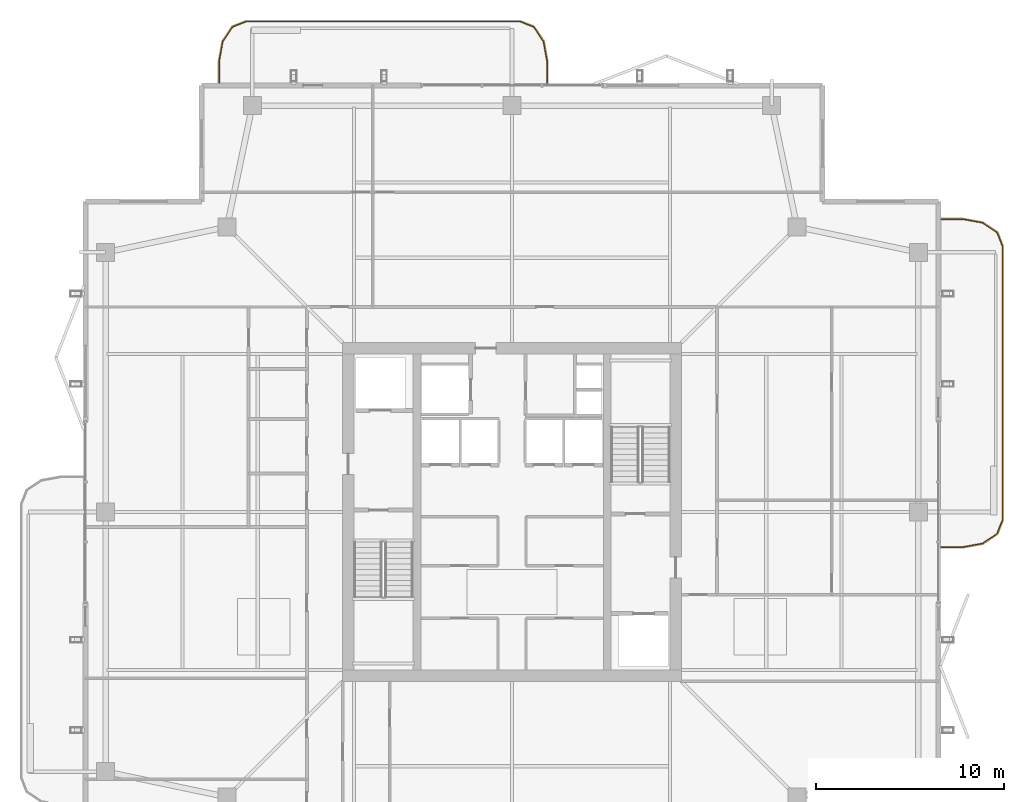
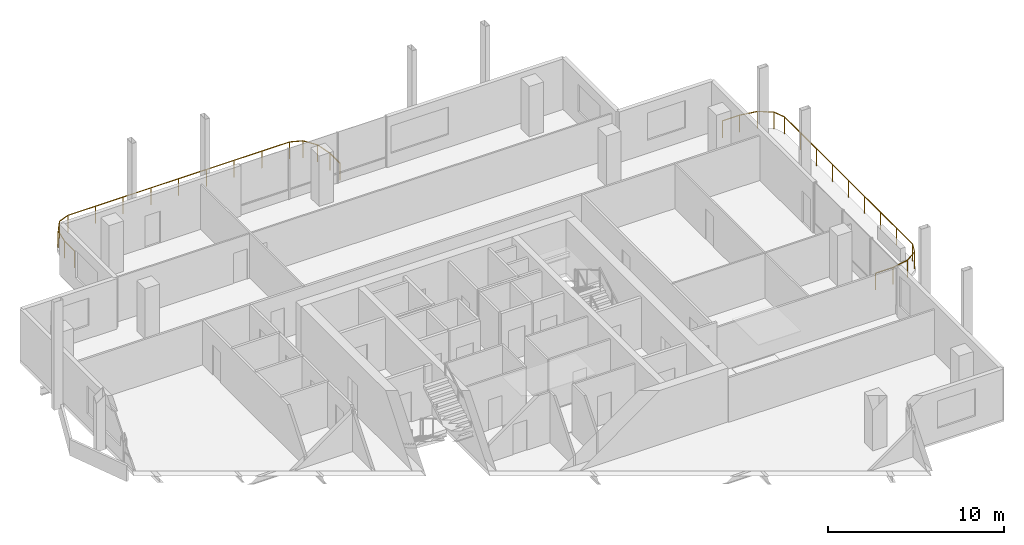
# One storey, part 20 of 20: 2 railings.
"""IFC4 building model written with IfcOpenShell, lengths in metres."""

from ifc_helpers import new_model, si_unit, direction, frame, origin, origin_2d, place, context, subcontext, project, spatial, rectangle, extrude, material, type_object, element, save


model = new_model("IFC4")

# Units and contexts
model_context = context("Model", 3, precision=1e-05, world=origin(), true_north=direction((0.0, 1.0)))
body_context = subcontext(model_context, "Body", "Model", "MODEL_VIEW")
ifc_project = project(units=[si_unit("LENGTHUNIT", "METRE"), si_unit("AREAUNIT", "SQUARE_METRE"), si_unit("VOLUMEUNIT", "CUBIC_METRE"), si_unit("PLANEANGLEUNIT", "RADIAN"), si_unit("MASSUNIT", "GRAM", prefix="KILO")], contexts=[model_context])

# Site, building, storey
site_placement = place(None, origin())
site = spatial("IfcSite", under=ifc_project, at=site_placement, CompositionType="ELEMENT")
building_placement = place(site_placement, origin())
building = spatial("IfcBuilding", under=site, at=building_placement, Name="Belovzor Exchange Tower", CompositionType="ELEMENT")
storey_placement = place(building_placement, frame((0.0, 0.0, 321.75)))
storey = spatial("IfcBuildingStorey", under=building, at=storey_placement, Name="L80", CompositionType="ELEMENT", Elevation=321.75)

# Railings
ifc_material = material(Name="Stainless Steel and Laminated Safety Glass", Category="steel")
railing_type = type_object("IfcRailingType", Name="Laminated Glass & Stainless Steel Balcony Balustrade 1200", PredefinedType="BALUSTRADE", material=ifc_material)
railing_1_placement = place(storey_placement, frame((30.669921875, 51.610107421875, 0.0)))
element("IfcRailing", 1, at=railing_1_placement, inside=storey, type_object=railing_type, Name="GR-1 Balcony Balustrade L80 North", PredefinedType="BALUSTRADE", context=body_context, shape_type="SweptSolid", body=[
    extrude(rectangle(XDim=0.048095703125, YDim=0.048095703125, at=origin_2d()), frame((0.0, 0.0, 1.17578125), z_axis=(0.0, 1.0, 0.0), x_axis=(-1.0, 0.0, 0.0)), (0.0, 0.0, 1.0), 1.1328125),
    extrude(rectangle(XDim=0.048095703125, YDim=0.048095703125, at=origin_2d()), frame((0.0, 1.1328125, 1.17578125), z_axis=(-0.180083182347, 0.983651385113, 0.0), x_axis=(-0.983651385113, -0.180083182347, 0.0)), (0.0, 0.0, 1.0), 1.093994140625),
    extrude(rectangle(XDim=0.048095703125, YDim=0.048095703125, at=origin_2d()), frame((-0.197021484375, 2.208984375, 1.17578125), z_axis=(-0.562768145367, 0.826614792125, 0.0), x_axis=(-0.826614792125, -0.562768145367, 0.0)), (0.0, 0.0, 1.0), 0.9326171875),
    extrude(rectangle(XDim=0.048095703125, YDim=0.048095703125, at=origin_2d()), frame((-0.721923828125, 2.97998046875, 1.17578125), z_axis=(-0.930766990125, 0.365612923861, 0.0), x_axis=(-0.365612923861, -0.930766990125, 0.0)), (0.0, 0.0, 1.0), 0.765869140625),
    extrude(rectangle(XDim=0.048095703125, YDim=0.048095703125, at=origin_2d()), frame((-1.434814453125, 3.260009765625, 1.17578125), z_axis=(-1.0, 0.0, 0.0), x_axis=(0.0, -1.0, 0.0)), (0.0, 0.0, 1.0), 14.570068359375),
    extrude(rectangle(XDim=0.048095703125, YDim=0.048095703125, at=origin_2d()), frame((-16.0048828125, 3.260009765625, 1.17578125), z_axis=(-0.930809580156, -0.365504480807, 0.0), x_axis=(0.365504480807, -0.930809580156, 0.0)), (0.0, 0.0, 1.0), 0.76611328125),
    extrude(rectangle(XDim=0.048095703125, YDim=0.048095703125, at=origin_2d()), frame((-16.718017578125, 2.97998046875, 1.17578125), z_axis=(-0.562768145367, -0.826614792125, 0.0), x_axis=(0.826614792125, -0.562768145367, 0.0)), (0.0, 0.0, 1.0), 0.9326171875),
    extrude(rectangle(XDim=0.048095703125, YDim=0.048095703125, at=origin_2d()), frame((-17.242919921875, 2.208984375, 1.17578125), z_axis=(-0.180083182347, -0.983651385113, 0.0), x_axis=(0.983651385113, -0.180083182347, 0.0)), (0.0, 0.0, 1.0), 1.093994140625),
    extrude(rectangle(XDim=0.048095703125, YDim=0.048095703125, at=origin_2d()), frame((-17.43994140625, 1.1328125, 1.17578125), z_axis=(0.0, -1.0, 0.0), x_axis=(1.0, 0.0, 0.0)), (0.0, 0.0, 1.0), 1.1328125),
    extrude(rectangle(XDim=0.0419921875, YDim=0.0419921875, at=origin_2d()), origin(), (0.0, 0.0, 1.0), 1.15185546875),
    extrude(rectangle(XDim=0.0419921875, YDim=0.0419921875, at=origin_2d()), frame((0.0, 1.1328125, 0.0)), (0.0, 0.0, 1.0), 1.15185546875),
    extrude(rectangle(XDim=0.0419921875, YDim=0.0419921875, at=origin_2d()), frame((-0.197021484375, 2.208984375, 0.0)), (0.0, 0.0, 1.0), 1.15185546875),
    extrude(rectangle(XDim=0.0419921875, YDim=0.0419921875, at=origin_2d()), frame((-0.721923828125, 2.97998046875, 0.0)), (0.0, 0.0, 1.0), 1.15185546875),
    extrude(rectangle(XDim=0.0419921875, YDim=0.0419921875, at=origin_2d()), frame((-1.434814453125, 3.260009765625, 0.0)), (0.0, 0.0, 1.0), 1.15185546875),
    extrude(rectangle(XDim=0.0419921875, YDim=0.0419921875, at=origin_2d()), frame((-3.256103515625, 3.260009765625, 0.0)), (0.0, 0.0, 1.0), 1.15185546875),
    extrude(rectangle(XDim=0.0419921875, YDim=0.0419921875, at=origin_2d()), frame((-5.077392578125, 3.260009765625, 0.0)), (0.0, 0.0, 1.0), 1.15185546875),
    extrude(rectangle(XDim=0.0419921875, YDim=0.0419921875, at=origin_2d()), frame((-6.898681640625, 3.260009765625, 0.0)), (0.0, 0.0, 1.0), 1.15185546875),
    extrude(rectangle(XDim=0.0419921875, YDim=0.0419921875, at=origin_2d()), frame((-8.7197265625, 3.260009765625, 0.0)), (0.0, 0.0, 1.0), 1.15185546875),
    extrude(rectangle(XDim=0.0419921875, YDim=0.0419921875, at=origin_2d()), frame((-10.541015625, 3.260009765625, 0.0)), (0.0, 0.0, 1.0), 1.15185546875),
    extrude(rectangle(XDim=0.0419921875, YDim=0.0419921875, at=origin_2d()), frame((-12.3623046875, 3.260009765625, 0.0)), (0.0, 0.0, 1.0), 1.15185546875),
    extrude(rectangle(XDim=0.0419921875, YDim=0.0419921875, at=origin_2d()), frame((-14.18359375, 3.260009765625, 0.0)), (0.0, 0.0, 1.0), 1.15185546875),
    extrude(rectangle(XDim=0.0419921875, YDim=0.0419921875, at=origin_2d()), frame((-16.0048828125, 3.260009765625, 0.0)), (0.0, 0.0, 1.0), 1.15185546875),
    extrude(rectangle(XDim=0.0419921875, YDim=0.0419921875, at=origin_2d()), frame((-16.718017578125, 2.97998046875, 0.0)), (0.0, 0.0, 1.0), 1.15185546875),
    extrude(rectangle(XDim=0.0419921875, YDim=0.0419921875, at=origin_2d()), frame((-17.242919921875, 2.208984375, 0.0)), (0.0, 0.0, 1.0), 1.15185546875),
    extrude(rectangle(XDim=0.0419921875, YDim=0.0419921875, at=origin_2d()), frame((-17.43994140625, 1.1328125, 0.0)), (0.0, 0.0, 1.0), 1.15185546875),
    extrude(rectangle(XDim=0.0419921875, YDim=0.0419921875, at=origin_2d()), frame((-17.43994140625, 0.0, 0.0)), (0.0, 0.0, 1.0), 1.15185546875),
])
railing_2_placement = place(storey_placement, frame((51.610107421875, 26.929931640625, 0.0)))
element("IfcRailing", 2, at=railing_2_placement, inside=storey, type_object=railing_type, Name="GR-1 Balcony Balustrade L80 East", PredefinedType="BALUSTRADE", context=body_context, shape_type="SweptSolid", body=[
    extrude(rectangle(XDim=0.048095703125, YDim=0.048095703125, at=origin_2d()), frame((0.0, 0.0, 1.17578125), z_axis=(1.0, 0.0, 0.0), x_axis=(0.0, 1.0, 0.0)), (0.0, 0.0, 1.0), 1.1328125),
    extrude(rectangle(XDim=0.048095703125, YDim=0.048095703125, at=origin_2d()), frame((1.1328125, 0.0, 1.17578125), z_axis=(0.983651385113, 0.180083182347, 0.0), x_axis=(-0.180083182347, 0.983651385113, 0.0)), (0.0, 0.0, 1.0), 1.093994140625),
    extrude(rectangle(XDim=0.048095703125, YDim=0.048095703125, at=origin_2d()), frame((2.208984375, 0.197021484375, 1.17578125), z_axis=(0.826493025367, 0.56294695933, 0.0), x_axis=(-0.56294695933, 0.826493025367, 0.0)), (0.0, 0.0, 1.0), 0.932861328125),
    extrude(rectangle(XDim=0.048095703125, YDim=0.048095703125, at=origin_2d()), frame((2.97998046875, 0.72216796875, 1.17578125), z_axis=(0.365612923861, 0.930766990125, 0.0), x_axis=(-0.930766990125, 0.365612923861, 0.0)), (0.0, 0.0, 1.0), 0.765869140625),
    extrude(rectangle(XDim=0.048095703125, YDim=0.048095703125, at=origin_2d()), frame((3.260009765625, 1.43505859375, 1.17578125), z_axis=(0.0, 1.0, 0.0), x_axis=(-1.0, 0.0, 0.0)), (0.0, 0.0, 1.0), 14.570068359375),
    extrude(rectangle(XDim=0.048095703125, YDim=0.048095703125, at=origin_2d()), frame((3.260009765625, 16.005126953125, 1.17578125), z_axis=(-0.365612923861, 0.930766990125, 0.0), x_axis=(-0.930766990125, -0.365612923861, 0.0)), (0.0, 0.0, 1.0), 0.765869140625),
    extrude(rectangle(XDim=0.048095703125, YDim=0.048095703125, at=origin_2d()), frame((2.97998046875, 16.718017578125, 1.17578125), z_axis=(-0.826493025367, 0.56294695933, 0.0), x_axis=(-0.56294695933, -0.826493025367, 0.0)), (0.0, 0.0, 1.0), 0.932861328125),
    extrude(rectangle(XDim=0.048095703125, YDim=0.048095703125, at=origin_2d()), frame((2.208984375, 17.2431640625, 1.17578125), z_axis=(-0.983651385113, 0.180083182347, 0.0), x_axis=(-0.180083182347, -0.983651385113, 0.0)), (0.0, 0.0, 1.0), 1.093994140625),
    extrude(rectangle(XDim=0.048095703125, YDim=0.048095703125, at=origin_2d()), frame((1.1328125, 17.440185546875, 1.17578125), z_axis=(-1.0, 0.0, 0.0), x_axis=(0.0, -1.0, 0.0)), (0.0, 0.0, 1.0), 1.1328125),
    extrude(rectangle(XDim=0.0419921875, YDim=0.0419921875, at=origin_2d()), origin(), (0.0, 0.0, 1.0), 1.15185546875),
    extrude(rectangle(XDim=0.0419921875, YDim=0.0419921875, at=origin_2d()), frame((1.1328125, 0.0, 0.0)), (0.0, 0.0, 1.0), 1.15185546875),
    extrude(rectangle(XDim=0.0419921875, YDim=0.0419921875, at=origin_2d()), frame((2.208984375, 0.197021484375, 0.0)), (0.0, 0.0, 1.0), 1.15185546875),
    extrude(rectangle(XDim=0.0419921875, YDim=0.0419921875, at=origin_2d()), frame((2.97998046875, 0.72216796875, 0.0)), (0.0, 0.0, 1.0), 1.15185546875),
    extrude(rectangle(XDim=0.0419921875, YDim=0.0419921875, at=origin_2d()), frame((3.260009765625, 1.43505859375, 0.0)), (0.0, 0.0, 1.0), 1.15185546875),
    extrude(rectangle(XDim=0.0419921875, YDim=0.0419921875, at=origin_2d()), frame((3.260009765625, 3.25634765625, 0.0)), (0.0, 0.0, 1.0), 1.15185546875),
    extrude(rectangle(XDim=0.0419921875, YDim=0.0419921875, at=origin_2d()), frame((3.260009765625, 5.07763671875, 0.0)), (0.0, 0.0, 1.0), 1.15185546875),
    extrude(rectangle(XDim=0.0419921875, YDim=0.0419921875, at=origin_2d()), frame((3.260009765625, 6.89892578125, 0.0)), (0.0, 0.0, 1.0), 1.15185546875),
    extrude(rectangle(XDim=0.0419921875, YDim=0.0419921875, at=origin_2d()), frame((3.260009765625, 8.72021484375, 0.0)), (0.0, 0.0, 1.0), 1.15185546875),
    extrude(rectangle(XDim=0.0419921875, YDim=0.0419921875, at=origin_2d()), frame((3.260009765625, 10.541259765625, 0.0)), (0.0, 0.0, 1.0), 1.15185546875),
    extrude(rectangle(XDim=0.0419921875, YDim=0.0419921875, at=origin_2d()), frame((3.260009765625, 12.362548828125, 0.0)), (0.0, 0.0, 1.0), 1.15185546875),
    extrude(rectangle(XDim=0.0419921875, YDim=0.0419921875, at=origin_2d()), frame((3.260009765625, 14.183837890625, 0.0)), (0.0, 0.0, 1.0), 1.15185546875),
    extrude(rectangle(XDim=0.0419921875, YDim=0.0419921875, at=origin_2d()), frame((3.260009765625, 16.005126953125, 0.0)), (0.0, 0.0, 1.0), 1.15185546875),
    extrude(rectangle(XDim=0.0419921875, YDim=0.0419921875, at=origin_2d()), frame((2.97998046875, 16.718017578125, 0.0)), (0.0, 0.0, 1.0), 1.15185546875),
    extrude(rectangle(XDim=0.0419921875, YDim=0.0419921875, at=origin_2d()), frame((2.208984375, 17.2431640625, 0.0)), (0.0, 0.0, 1.0), 1.15185546875),
    extrude(rectangle(XDim=0.0419921875, YDim=0.0419921875, at=origin_2d()), frame((1.1328125, 17.440185546875, 0.0)), (0.0, 0.0, 1.0), 1.15185546875),
    extrude(rectangle(XDim=0.0419921875, YDim=0.0419921875, at=origin_2d()), frame((0.0, 17.440185546875, 0.0)), (0.0, 0.0, 1.0), 1.15185546875),
])

save(model, "model.ifc")
